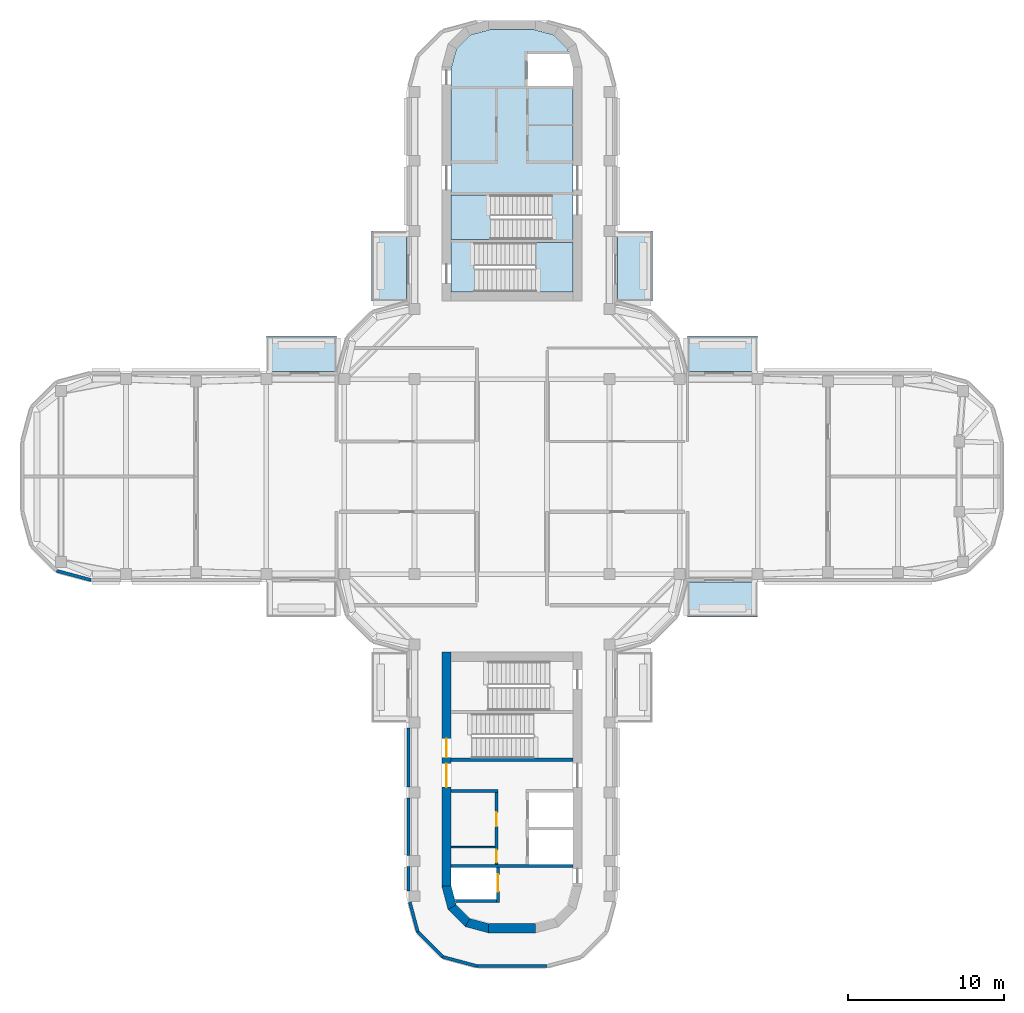
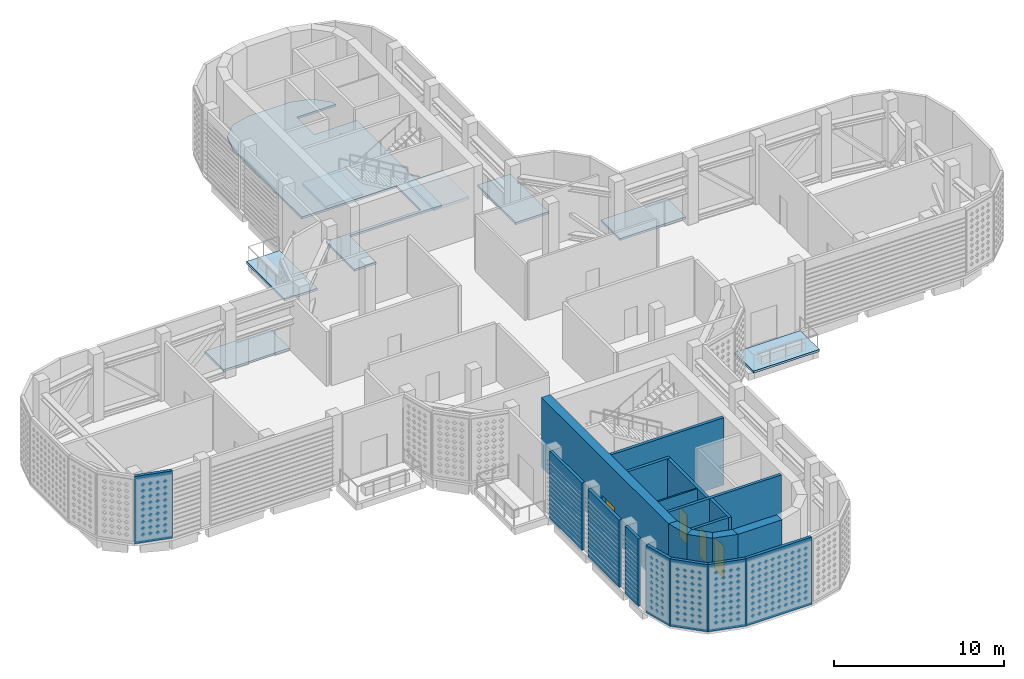
# One storey, part 4 of 20: 20 walls, 8 slabs, 5 doors, 5 openings, 2 elements without a shape of their own.
"""IFC4 building model written with IfcOpenShell, lengths in metres."""

from ifc_helpers import new_model, si_unit, direction, frame, frame_2d, origin, place, context, subcontext, project, spatial, polyline, rectangle, outline, extrude, material, layer, layer_set, type_object, element, fill, aggregate, save


model = new_model("IFC4")

# Units and contexts
model_context = context("Model", 3, precision=1e-05, world=origin(), true_north=direction((0.0, 1.0)))
body_context = subcontext(model_context, "Body", "Model", "MODEL_VIEW")
ifc_project = project(units=[si_unit("LENGTHUNIT", "METRE"), si_unit("AREAUNIT", "SQUARE_METRE"), si_unit("VOLUMEUNIT", "CUBIC_METRE"), si_unit("PLANEANGLEUNIT", "RADIAN"), si_unit("MASSUNIT", "GRAM", prefix="KILO")], contexts=[model_context])

# Site, building, storey
site_placement = place(None, origin())
site = spatial("IfcSite", under=ifc_project, at=site_placement, CompositionType="ELEMENT")
building_placement = place(site_placement, origin())
building = spatial("IfcBuilding", under=site, at=building_placement, Name="Zarbagh Exchange Tower", CompositionType="ELEMENT")
storey_placement = place(building_placement, frame((0.0, 0.0, 244.800048828125)))
storey = spatial("IfcBuildingStorey", under=building, at=storey_placement, Name="L60", CompositionType="ELEMENT", Elevation=244.800048828125)

# Slab
ifc_material_1 = material(Name="Concrete C40/50", Category="concrete")
ifc_layer_1 = layer(ifc_material_1, 0.14990234375)
ifc_layer_set_1 = layer_set([ifc_layer_1], Name="Core floor slab 150 C40/50")
slab_type_1 = type_object("IfcSlabType", Name="Core floor slab 150 C40/50", PredefinedType="FLOOR", material=ifc_layer_set_1)
slab_1_placement = place(storey_placement, frame((0.0, 0.0, -0.150146484375)))
element("IfcSlab", 1, at=slab_1_placement, inside=storey, type_object=slab_type_1, Name="S17 core N", PredefinedType="FLOOR", context=body_context, shape_type="SweptSolid", body=[
    extrude(outline(polyline([(-3.89990234375, 11.85009765625), (-3.89990234375, 15.199951171875), (2.550048828125, 15.199951171875), (2.550048828125, 18.050048828125), (-3.89990234375, 18.050048828125), (-3.89990234375, 26.1708984375), (-3.56005859375, 27.439453125), (-2.689453125, 28.31005859375), (-1.4208984375, 28.64990234375), (1.4208984375, 28.64990234375), (2.689453125, 28.31005859375), (3.56005859375, 27.439453125), (3.651123046875, 27.10009765625), (1.0, 27.10009765625), (1.0, 25.050048828125), (3.89990234375, 25.050048828125), (3.89990234375, 15.0), (-2.39990234375, 15.0), (-2.39990234375, 11.85009765625), (-3.89990234375, 11.85009765625)])), origin(), (0.0, 0.0, 1.0), 0.150146484375),
])

# Stair, slab
stair_type = type_object("IfcStairType", Name="Exit stair two-flight half-turn", PredefinedType="HALF_TURN_STAIR", material=ifc_material_1)
stair_1_placement = place(storey_placement, origin())
stair_1 = element("IfcStair", 2, at=stair_1_placement, inside=storey, type_object=stair_type, Name="exit stair ST1", PredefinedType="HALF_TURN_STAIR")
ifc_layer_2 = layer(ifc_material_1, 0.199951171875)
ifc_layer_set_2 = layer_set([ifc_layer_2], Name="Stair landing 200 mm")
slab_type_2 = type_object("IfcSlabType", Name="Stair landing 200 mm", PredefinedType="LANDING", material=ifc_layer_set_2)
slab_2_placement = place(storey_placement, frame((0.0, 0.0, 2.300048828125)))
slab_2 = element("IfcSlab", 3, at=slab_2_placement, type_object=slab_type_2, Name="ST1 landing 1", PredefinedType="LANDING", context=body_context, shape_type="SweptSolid", body=[
    extrude(outline(polyline([(-1.3701171875, 18.050048828125), (-3.89990234375, 18.050048828125), (-3.89990234375, 15.199951171875), (-1.3701171875, 15.199951171875), (-1.3701171875, 18.050048828125)])), origin(), (0.0, 0.0, 1.0), 0.199951171875),
])
aggregate(stair_1, [slab_2])

stair_2_placement = place(storey_placement, origin())
stair_2 = element("IfcStair", 4, at=stair_2_placement, inside=storey, type_object=stair_type, Name="exit stair ST2", PredefinedType="HALF_TURN_STAIR")
slab_3_placement = place(storey_placement, frame((0.0, 0.0, 2.300048828125)))
slab_3 = element("IfcSlab", 5, at=slab_3_placement, type_object=slab_type_2, Name="ST2 landing 1", PredefinedType="LANDING", context=body_context, shape_type="SweptSolid", body=[
    extrude(outline(polyline([(1.52001953125, 11.85009765625), (3.89990234375, 11.85009765625), (3.89990234375, 15.0), (1.52001953125, 15.0), (1.52001953125, 11.85009765625)])), origin(), (0.0, 0.0, 1.0), 0.199951171875),
])
aggregate(stair_2, [slab_3])

# Slabs
ifc_layer_3 = layer(ifc_material_1, 0.14990234375)
ifc_layer_set_3 = layer_set([ifc_layer_3], Name="Winter garden terrace slab 150 C40/50")
slab_type_3 = type_object("IfcSlabType", Name="Winter garden terrace slab 150 C40/50", PredefinedType="USERDEFINED", material=ifc_layer_set_3)
slab_4_placement = place(storey_placement, frame((0.0, 0.0, -0.150146484375)))
element("IfcSlab", 6, at=slab_4_placement, inside=storey, type_object=slab_type_3, Name="S9 winter garden terrace slab", ObjectType="Winter garden slab", PredefinedType="USERDEFINED", context=body_context, shape_type="SweptSolid", body=[
    extrude(outline(polyline([(9.0, 11.25), (9.0, 15.75), (6.75, 15.75), (6.75, 11.25), (9.0, 11.25)])), origin(), (0.0, 0.0, 1.0), 0.150146484375),
])
slab_5_placement = place(storey_placement, frame((0.0, 0.0, -0.150146484375)))
element("IfcSlab", 7, at=slab_5_placement, inside=storey, type_object=slab_type_3, Name="S9 winter garden terrace slab", ObjectType="Winter garden slab", PredefinedType="USERDEFINED", context=body_context, shape_type="SweptSolid", body=[
    extrude(outline(polyline([(15.75, 6.75), (15.75, 9.0), (11.25, 9.0), (11.25, 6.75), (15.75, 6.75)])), origin(), (0.0, 0.0, 1.0), 0.150146484375),
])
slab_6_placement = place(storey_placement, frame((0.0, 0.0, -0.150146484375)))
element("IfcSlab", 8, at=slab_6_placement, inside=storey, type_object=slab_type_3, Name="S9 winter garden terrace slab", ObjectType="Winter garden slab", PredefinedType="USERDEFINED", context=body_context, shape_type="SweptSolid", body=[
    extrude(outline(polyline([(15.75, -9.0), (15.75, -6.75), (11.25, -6.75), (11.25, -9.0), (15.75, -9.0)])), origin(), (0.0, 0.0, 1.0), 0.150146484375),
])
slab_7_placement = place(storey_placement, frame((0.0, 0.0, -0.150146484375)))
element("IfcSlab", 9, at=slab_7_placement, inside=storey, type_object=slab_type_3, Name="S9 winter garden terrace slab", ObjectType="Winter garden slab", PredefinedType="USERDEFINED", context=body_context, shape_type="SweptSolid", body=[
    extrude(outline(polyline([(-6.75, 11.25), (-6.75, 15.75), (-9.0, 15.75), (-9.0, 11.25), (-6.75, 11.25)])), origin(), (0.0, 0.0, 1.0), 0.150146484375),
])
slab_8_placement = place(storey_placement, frame((0.0, 0.0, -0.150146484375)))
element("IfcSlab", 10, at=slab_8_placement, inside=storey, type_object=slab_type_3, Name="S9 winter garden terrace slab", ObjectType="Winter garden slab", PredefinedType="USERDEFINED", context=body_context, shape_type="SweptSolid", body=[
    extrude(outline(polyline([(-11.25, 6.75), (-11.25, 9.0), (-15.75, 9.0), (-15.75, 6.75), (-11.25, 6.75)])), origin(), (0.0, 0.0, 1.0), 0.150146484375),
])

# Walls
ifc_material_2 = material(Name="Dense blockwork", Category="masonry")
ifc_layer_4 = layer(ifc_material_2, 0.10009765625)
ifc_layer_set_4 = layer_set([ifc_layer_4], Name="Core partition 100 mm blockwork")
wall_type_1 = type_object("IfcWallType", Name="Core partition 100 mm blockwork", PredefinedType="PARTITIONING", material=ifc_layer_set_4)
wall_1_placement = place(storey_placement, frame((-1.10009765625, -23.75, 0.0), z_axis=(0.0, 0.0, 1.0), x_axis=(-1.0, 0.0, 0.0)))
element("IfcWall", 11, at=wall_1_placement, inside=storey, type_object=wall_type_1, Name="South core partition wall CUT-E-460", PredefinedType="PARTITIONING", context=body_context, shape_type="SweptSolid", body=[
    extrude(rectangle(XDim=2.7998046875, YDim=0.10009765625, at=frame_2d((1.39990234375, 0.0))), origin(), (0.0, 0.0, 1.0), 4.849853515625),
])
ifc_material_3 = material(Name="Precast concrete C50/60", Category="concrete")
ifc_layer_5 = layer(ifc_material_3, 0.199951171875)
ifc_layer_set_5 = layer_set([ifc_layer_5], Name="Plant wall, precast concrete C50/60")
wall_type_2 = type_object("IfcWallType", Name="Plant wall, precast concrete C50/60", PredefinedType="SOLIDWALL", material=ifc_layer_set_5)
wall_2_placement = place(storey_placement, origin())
element("IfcWall", 12, at=wall_2_placement, inside=storey, type_object=wall_type_2, Name="PW78 plant wall", PredefinedType="SOLIDWALL", context=body_context, shape_type="SweptSolid", body=[
    extrude(outline(polyline([(-29.23974609375, -6.129150390625), (-26.997314453125, -6.72998046875), (-26.970947265625, -6.530029296875), (-29.13623046875, -5.949951171875), (-29.23974609375, -6.129150390625)])), origin(), (0.0, 0.0, 1.0), 4.849853515625),
])
wall_3_placement = place(storey_placement, origin())
element("IfcWall", 13, at=wall_3_placement, inside=storey, type_object=wall_type_2, Name="PW80 plant wall", PredefinedType="SOLIDWALL", context=body_context, shape_type="SweptSolid", body=[
    extrude(outline(polyline([(-6.72998046875, -16.10009765625), (-6.72998046875, -19.89990234375), (-6.530029296875, -19.89990234375), (-6.530029296875, -16.10009765625), (-6.72998046875, -16.10009765625)])), origin(), (0.0, 0.0, 1.0), 4.849853515625),
])
wall_4_placement = place(storey_placement, origin())
element("IfcWall", 14, at=wall_4_placement, inside=storey, type_object=wall_type_2, Name="PW80 plant wall", PredefinedType="SOLIDWALL", context=body_context, shape_type="SweptSolid", body=[
    extrude(outline(polyline([(-6.72998046875, -20.60009765625), (-6.72998046875, -24.300048828125), (-6.530029296875, -24.300048828125), (-6.530029296875, -20.60009765625), (-6.72998046875, -20.60009765625)])), origin(), (0.0, 0.0, 1.0), 4.849853515625),
])
wall_5_placement = place(storey_placement, origin())
element("IfcWall", 15, at=wall_5_placement, inside=storey, type_object=wall_type_2, Name="PW80 plant wall", PredefinedType="SOLIDWALL", context=body_context, shape_type="SweptSolid", body=[
    extrude(outline(polyline([(-6.72998046875, -25.0), (-6.72998046875, -26.550048828125), (-6.530029296875, -26.550048828125), (-6.530029296875, -25.0), (-6.72998046875, -25.0)])), origin(), (0.0, 0.0, 1.0), 4.849853515625),
])
wall_6_placement = place(storey_placement, origin())
element("IfcWall", 16, at=wall_6_placement, inside=storey, type_object=wall_type_2, Name="PW81 plant wall", PredefinedType="SOLIDWALL", context=body_context, shape_type="SweptSolid", body=[
    extrude(outline(polyline([(-6.648193359375, -27.302490234375), (-6.129150390625, -29.23974609375), (-5.949951171875, -29.13623046875), (-6.455078125, -27.25048828125), (-6.648193359375, -27.302490234375)])), origin(), (0.0, 0.0, 1.0), 4.849853515625),
])
wall_7_placement = place(storey_placement, origin())
element("IfcWall", 17, at=wall_7_placement, inside=storey, type_object=wall_type_2, Name="PW82 plant wall", PredefinedType="SOLIDWALL", context=body_context, shape_type="SweptSolid", body=[
    extrude(outline(polyline([(-6.129150390625, -29.23974609375), (-4.48974609375, -30.879150390625), (-4.38623046875, -30.699951171875), (-5.949951171875, -29.13623046875), (-6.129150390625, -29.23974609375)])), origin(), (0.0, 0.0, 1.0), 4.849853515625),
])
wall_8_placement = place(storey_placement, origin())
element("IfcWall", 18, at=wall_8_placement, inside=storey, type_object=wall_type_2, Name="PW83 plant wall", PredefinedType="SOLIDWALL", context=body_context, shape_type="SweptSolid", body=[
    extrude(outline(polyline([(-4.48974609375, -30.879150390625), (-2.247314453125, -31.47998046875), (-2.220947265625, -31.280029296875), (-4.38623046875, -30.699951171875), (-4.48974609375, -30.879150390625)])), origin(), (0.0, 0.0, 1.0), 4.849853515625),
])
wall_9_placement = place(storey_placement, origin())
element("IfcWall", 19, at=wall_9_placement, inside=storey, type_object=wall_type_2, Name="PW84 plant wall", PredefinedType="SOLIDWALL", context=body_context, shape_type="SweptSolid", body=[
    extrude(outline(polyline([(-2.247314453125, -31.47998046875), (2.247314453125, -31.47998046875), (2.220947265625, -31.280029296875), (-2.220947265625, -31.280029296875), (-2.247314453125, -31.47998046875)])), origin(), (0.0, 0.0, 1.0), 4.849853515625),
])
ifc_material_4 = material(Name="Concrete C50/60", Category="concrete")
ifc_layer_6 = layer(ifc_material_4, 0.60009765625)
ifc_layer_set_6 = layer_set([ifc_layer_6], Name="RC core corner wall 600 C50/60")
wall_type_3 = type_object("IfcWallType", Name="RC core corner wall 600 C50/60", PredefinedType="SHEAR", material=ifc_layer_set_6)
wall_10_placement = place(storey_placement, origin())
element("IfcWall", 20, at=wall_10_placement, inside=storey, type_object=wall_type_3, Name="CW8 core S corner W", PredefinedType="SHEAR", context=body_context, shape_type="SweptSolid", body=[
    extrude(outline(polyline([(-4.5, -26.25), (-4.09814453125, -27.75), (-3.57861328125, -27.449951171875), (-3.89990234375, -26.25), (-4.5, -26.25)])), origin(), (0.0, 0.0, 1.0), 5.0),
])
wall_11_placement = place(storey_placement, origin())
element("IfcWall", 21, at=wall_11_placement, inside=storey, type_object=wall_type_3, Name="CW8 core S corner W", PredefinedType="SHEAR", context=body_context, shape_type="SweptSolid", body=[
    extrude(outline(polyline([(-4.09814453125, -27.75), (-3.0, -28.84814453125), (-2.699951171875, -28.32861328125), (-3.57861328125, -27.449951171875), (-4.09814453125, -27.75)])), origin(), (0.0, 0.0, 1.0), 5.0),
])
wall_12_placement = place(storey_placement, origin())
element("IfcWall", 22, at=wall_12_placement, inside=storey, type_object=wall_type_3, Name="CW8 core S corner W", PredefinedType="SHEAR", context=body_context, shape_type="SweptSolid", body=[
    extrude(outline(polyline([(-3.0, -28.84814453125), (-1.5, -29.25), (-1.5, -28.64990234375), (-2.699951171875, -28.32861328125), (-3.0, -28.84814453125)])), origin(), (0.0, 0.0, 1.0), 5.0),
])

# Wall, openings, doors
ifc_layer_7 = layer(ifc_material_4, 0.60009765625)
ifc_layer_set_7 = layer_set([ifc_layer_7], Name="RC core wall 600 C50/60")
wall_type_4 = type_object("IfcWallType", Name="RC core wall 600 C50/60", PredefinedType="SHEAR", material=ifc_layer_set_7)
wall_13_placement = place(storey_placement, frame((-4.199951171875, -11.25, 0.0), z_axis=(0.0, 0.0, 1.0), x_axis=(0.0, -1.0, 0.0)))
wall_13 = element("IfcWall", 23, at=wall_13_placement, inside=storey, type_object=wall_type_4, Name="CW7 core S W", PredefinedType="SHEAR", context=body_context, shape_type="SweptSolid", body=[
    extrude(rectangle(XDim=15.0, YDim=0.60009765625, at=frame_2d((7.5, 0.0))), origin(), (0.0, 0.0, 1.0), 5.0),
])
opening_1_placement = place(wall_13_placement, frame((7.14990234375, 0.0, 0.0)))
opening_1 = element("IfcOpeningElement", 24, at=opening_1_placement, cuts=wall_13, Name="Opening CD1-1500", PredefinedType="OPENING", context=body_context, shape_type="SweptSolid", body=[
    extrude(rectangle(XDim=1.5, YDim=2.300048828125, at=frame_2d((0.75, 1.14990234375))), frame((0.0, 0.31005859375, 0.0), z_axis=(0.0, -1.0, 0.0), x_axis=(1.0, 0.0, 0.0)), (0.0, 0.0, 1.0), 0.6201171875),
])
opening_2_placement = place(wall_13_placement, frame((5.550048828125, 0.0, 0.0)))
opening_2 = element("IfcOpeningElement", 25, at=opening_2_placement, cuts=wall_13, Name="Opening SD1-1200", PredefinedType="OPENING", context=body_context, shape_type="SweptSolid", body=[
    extrude(rectangle(XDim=1.199951171875, YDim=2.10009765625, at=frame_2d((0.60009765625, 1.050048828125))), frame((0.0, 0.31005859375, 0.0), z_axis=(0.0, -1.0, 0.0), x_axis=(1.0, 0.0, 0.0)), (0.0, 0.0, 1.0), 0.6201171875),
])
ifc_material_5 = material(Name="Steel", Category="steel")
door_type_1 = type_object("IfcDoorType", Name="Exit stair door 1200 x 2100", OperationType="NOTDEFINED", PredefinedType="DOOR", material=ifc_material_5)
door_1_placement = place(opening_2_placement, origin())
door_1 = element("IfcDoor", 26, at=door_1_placement, inside=storey, type_object=door_type_1, Name="South core stair door ST1", OperationType="SINGLE_SWING_LEFT", OverallHeight=2.10009765625, OverallWidth=1.199951171875, PredefinedType="DOOR", context=body_context, shape_type="SweptSolid", body=[
    extrude(rectangle(XDim=1.199951171875, YDim=2.10009765625, at=frame_2d((0.60009765625, 1.050048828125))), frame((0.0, 0.02490234375, 0.0), z_axis=(0.0, -1.0, 0.0), x_axis=(1.0, 0.0, 0.0)), (0.0, 0.0, 1.0), 0.050048828125),
])
fill(opening_2, door_1)
door_type_2 = type_object("IfcDoorType", Name="Lift lobby double door 1500 x 2300", OperationType="NOTDEFINED", PredefinedType="DOOR", material=ifc_material_5)
door_2_placement = place(opening_1_placement, origin())
door_2 = element("IfcDoor", 27, at=door_2_placement, inside=storey, type_object=door_type_2, Name="South core lift lobby door LOBBY-E", OperationType="DOUBLE_DOOR_SINGLE_SWING", OverallHeight=2.300048828125, OverallWidth=1.5, PredefinedType="DOOR", context=body_context, shape_type="SweptSolid", body=[
    extrude(rectangle(XDim=1.5, YDim=2.300048828125, at=frame_2d((0.75, 1.14990234375))), frame((0.0, 0.02490234375, 0.0), z_axis=(0.0, -1.0, 0.0), x_axis=(1.0, 0.0, 0.0)), (0.0, 0.0, 1.0), 0.050048828125),
])
fill(opening_1, door_2)

# Walls
wall_14_placement = place(storey_placement, frame((-1.5, -28.949951171875, 0.0), z_axis=(0.0, 0.0, 1.0), x_axis=(1.0, 0.0, 0.0)))
element("IfcWall", 28, at=wall_14_placement, inside=storey, type_object=wall_type_4, Name="CW7 core S outer end", PredefinedType="SHEAR", context=body_context, shape_type="SweptSolid", body=[
    extrude(rectangle(XDim=3.0, YDim=0.60009765625, at=frame_2d((1.5, 0.0))), origin(), (0.0, 0.0, 1.0), 5.0),
])
ifc_layer_8 = layer(ifc_material_2, 0.199951171875)
ifc_layer_set_8 = layer_set([ifc_layer_8], Name="Shaft wall 200 mm blockwork")
wall_type_5 = type_object("IfcWallType", Name="Shaft wall 200 mm blockwork", PredefinedType="PARTITIONING", material=ifc_layer_set_8)
wall_15_placement = place(storey_placement, frame((-0.89990234375, -20.14990234375, 0.0), z_axis=(0.0, 0.0, 1.0), x_axis=(-1.0, 0.0, 0.0)))
element("IfcWall", 29, at=wall_15_placement, inside=storey, type_object=wall_type_5, Name="South core shaft wall AB-E", PredefinedType="PARTITIONING", context=body_context, shape_type="SweptSolid", body=[
    extrude(rectangle(XDim=3.0, YDim=0.199951171875, at=frame_2d((1.5, 0.0))), origin(), (0.0, 0.0, 1.0), 4.849853515625),
])

# Wall, openings, doors
wall_16_placement = place(storey_placement, frame((-1.0, -24.85009765625, 0.0), z_axis=(0.0, 0.0, 1.0), x_axis=(0.0, 1.0, 0.0)))
wall_16 = element("IfcWall", 30, at=wall_16_placement, inside=storey, type_object=wall_type_5, Name="South core shaft wall LW-E", PredefinedType="PARTITIONING", context=body_context, shape_type="SweptSolid", body=[
    extrude(rectangle(XDim=4.60009765625, YDim=0.199951171875, at=frame_2d((2.300048828125, 0.0))), origin(), (0.0, 0.0, 1.0), 4.849853515625),
])
opening_3_placement = place(wall_16_placement, frame((0.125, 0.0, 0.0)))
opening_3 = element("IfcOpeningElement", 31, at=opening_3_placement, cuts=wall_16, Name="Opening CD3-800", PredefinedType="OPENING", context=body_context, shape_type="SweptSolid", body=[
    extrude(rectangle(XDim=0.800048828125, YDim=2.10009765625, at=frame_2d((0.39990234375, 1.050048828125))), frame((0.0, 0.10986328125, 0.0), z_axis=(0.0, -1.0, 0.0), x_axis=(1.0, 0.0, 0.0)), (0.0, 0.0, 1.0), 0.219970703125),
])
opening_4_placement = place(wall_16_placement, frame((2.425048828125, 0.0, 0.0)))
opening_4 = element("IfcOpeningElement", 32, at=opening_4_placement, cuts=wall_16, Name="Opening CD3-900", PredefinedType="OPENING", context=body_context, shape_type="SweptSolid", body=[
    extrude(rectangle(XDim=0.89990234375, YDim=2.10009765625, at=frame_2d((0.449951171875, 1.050048828125))), frame((0.0, 0.10986328125, 0.0), z_axis=(0.0, -1.0, 0.0), x_axis=(1.0, 0.0, 0.0)), (0.0, 0.0, 1.0), 0.219970703125),
])
door_type_3 = type_object("IfcDoorType", Name="Core room door 800 x 2100", OperationType="NOTDEFINED", PredefinedType="DOOR", material=ifc_material_5)
door_3_placement = place(opening_3_placement, origin())
door_3 = element("IfcDoor", 33, at=door_3_placement, inside=storey, type_object=door_type_3, Name="South core Plant room door RD-E-0", OperationType="SINGLE_SWING_LEFT", OverallHeight=2.10009765625, OverallWidth=0.800048828125, PredefinedType="DOOR", context=body_context, shape_type="SweptSolid", body=[
    extrude(rectangle(XDim=0.800048828125, YDim=2.10009765625, at=frame_2d((0.39990234375, 1.050048828125))), frame((0.0, 0.02490234375, 0.0), z_axis=(0.0, -1.0, 0.0), x_axis=(1.0, 0.0, 0.0)), (0.0, 0.0, 1.0), 0.050048828125),
])
fill(opening_3, door_3)
door_type_4 = type_object("IfcDoorType", Name="Core room door 900 x 2100", OperationType="NOTDEFINED", PredefinedType="DOOR", material=ifc_material_5)
door_4_placement = place(opening_4_placement, origin())
door_4 = element("IfcDoor", 34, at=door_4_placement, inside=storey, type_object=door_type_4, Name="South core Mechanical store door RD-E-1", OperationType="SINGLE_SWING_LEFT", OverallHeight=2.10009765625, OverallWidth=0.89990234375, PredefinedType="DOOR", context=body_context, shape_type="SweptSolid", body=[
    extrude(rectangle(XDim=0.89990234375, YDim=2.10009765625, at=frame_2d((0.449951171875, 1.050048828125))), frame((0.0, 0.02490234375, 0.0), z_axis=(0.0, -1.0, 0.0), x_axis=(1.0, 0.0, 0.0)), (0.0, 0.0, 1.0), 0.050048828125),
])
fill(opening_4, door_4)

# Wall
ifc_layer_9 = layer(ifc_material_1, 0.199951171875)
ifc_layer_set_9 = layer_set([ifc_layer_9], Name="Stair enclosure wall 200 mm RC C40/50")
wall_type_6 = type_object("IfcWallType", Name="Stair enclosure wall 200 mm RC C40/50", PredefinedType="SHEAR", material=ifc_layer_set_9)
wall_17_placement = place(storey_placement, frame((3.89990234375, -24.949951171875, 0.0), z_axis=(0.0, 0.0, 1.0), x_axis=(-1.0, 0.0, 0.0)))
element("IfcWall", 35, at=wall_17_placement, inside=storey, type_object=wall_type_6, Name="South core lift shaft wall FFA", PredefinedType="SHEAR", context=body_context, shape_type="SweptSolid", body=[
    extrude(rectangle(XDim=7.7998046875, YDim=0.199951171875, at=frame_2d((3.89990234375, 0.0))), origin(), (0.0, 0.0, 1.0), 4.849853515625),
])

# Wall, opening, door
wall_18_placement = place(storey_placement, frame((-0.89990234375, -27.300048828125, 0.0), z_axis=(0.0, 0.0, 1.0), x_axis=(0.0, 1.0, 0.0)))
wall_18 = element("IfcWall", 36, at=wall_18_placement, inside=storey, type_object=wall_type_6, Name="South core lift shaft wall FFL", PredefinedType="SHEAR", context=body_context, shape_type="SweptSolid", body=[
    extrude(rectangle(XDim=2.25, YDim=0.199951171875, at=frame_2d((1.125, 0.0))), origin(), (0.0, 0.0, 1.0), 4.849853515625),
])
opening_5_placement = place(wall_18_placement, frame((0.699951171875, 0.0, 0.0)))
opening_5 = element("IfcOpeningElement", 37, at=opening_5_placement, cuts=wall_18, Name="Opening LD-1100", PredefinedType="OPENING", context=body_context, shape_type="SweptSolid", body=[
    extrude(rectangle(XDim=1.10009765625, YDim=2.300048828125, at=frame_2d((0.550048828125, 1.14990234375))), frame((0.0, 0.10986328125, 0.0), z_axis=(0.0, -1.0, 0.0), x_axis=(1.0, 0.0, 0.0)), (0.0, 0.0, 1.0), 0.219970703125),
])
ifc_material_6 = material(Name="Stainless steel", Category="steel")
door_type_5 = type_object("IfcDoorType", Name="Lift landing door 1100 x 2300", OperationType="NOTDEFINED", PredefinedType="DOOR", material=ifc_material_6)
door_5_placement = place(opening_5_placement, origin())
door_5 = element("IfcDoor", 38, at=door_5_placement, inside=storey, type_object=door_type_5, Name="South core lift landing door LD-F", OperationType="DOUBLE_DOOR_SLIDING", OverallHeight=2.300048828125, OverallWidth=1.10009765625, PredefinedType="DOOR", context=body_context, shape_type="SweptSolid", body=[
    extrude(rectangle(XDim=1.10009765625, YDim=2.300048828125, at=frame_2d((0.550048828125, 1.14990234375))), frame((0.0, 0.02490234375, 0.0), z_axis=(0.0, -1.0, 0.0), x_axis=(1.0, 0.0, 0.0)), (0.0, 0.0, 1.0), 0.050048828125),
])
fill(opening_5, door_5)

# Walls
wall_19_placement = place(storey_placement, origin())
element("IfcWall", 39, at=wall_19_placement, inside=storey, type_object=wall_type_6, Name="South core lift shaft wall FFX", PredefinedType="SHEAR", context=body_context, shape_type="SweptSolid", body=[
    extrude(outline(polyline([(-1.0, -27.10009765625), (-3.651123046875, -27.10009765625), (-3.597412109375, -27.300048828125), (-1.0, -27.300048828125), (-1.0, -27.10009765625)])), origin(), (0.0, 0.0, 1.0), 4.849853515625),
])
wall_20_placement = place(storey_placement, frame((3.89990234375, -18.14990234375, 0.0), z_axis=(0.0, 0.0, 1.0), x_axis=(-1.0, 0.0, 0.0)))
element("IfcWall", 40, at=wall_20_placement, inside=storey, type_object=wall_type_6, Name="South core stair wall BS", PredefinedType="SHEAR", context=body_context, shape_type="SweptSolid", body=[
    extrude(rectangle(XDim=7.7998046875, YDim=0.199951171875, at=frame_2d((3.89990234375, 0.0))), origin(), (0.0, 0.0, 1.0), 4.849853515625),
])

save(model, "model.ifc")
